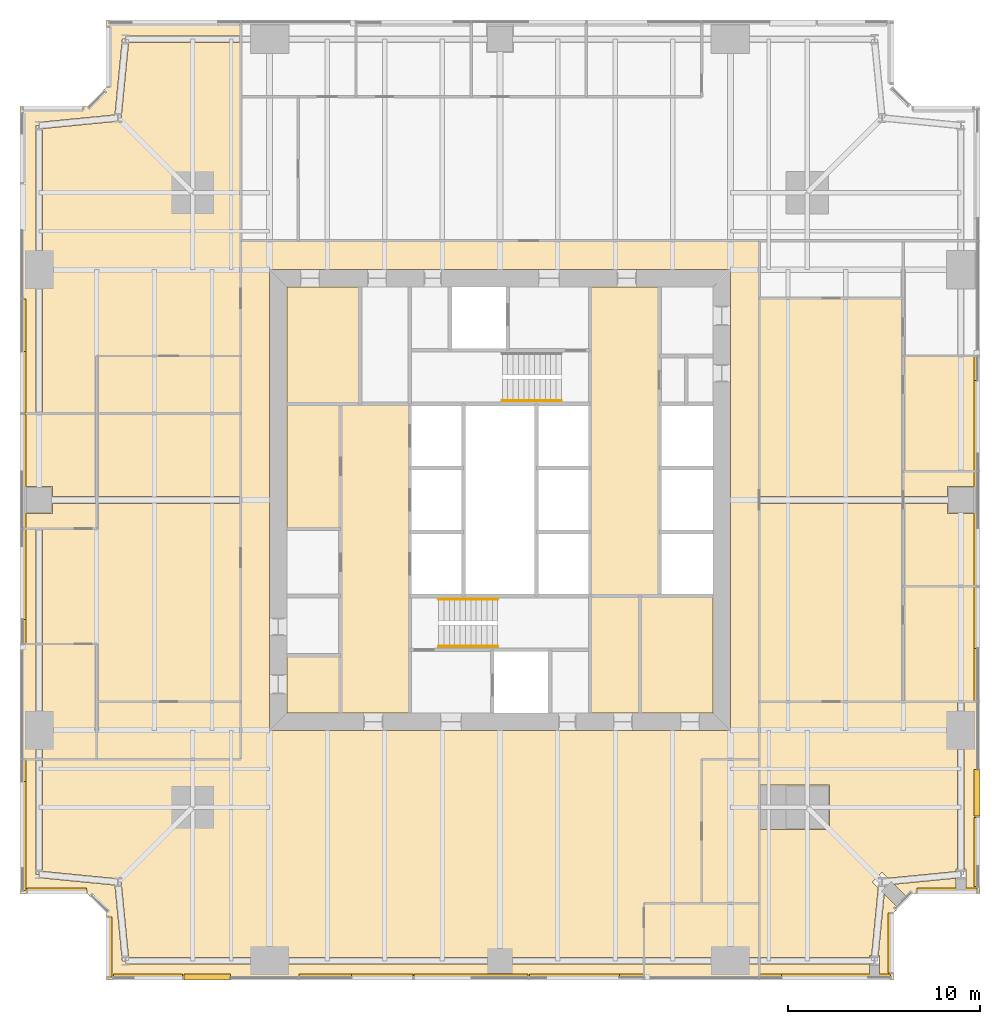
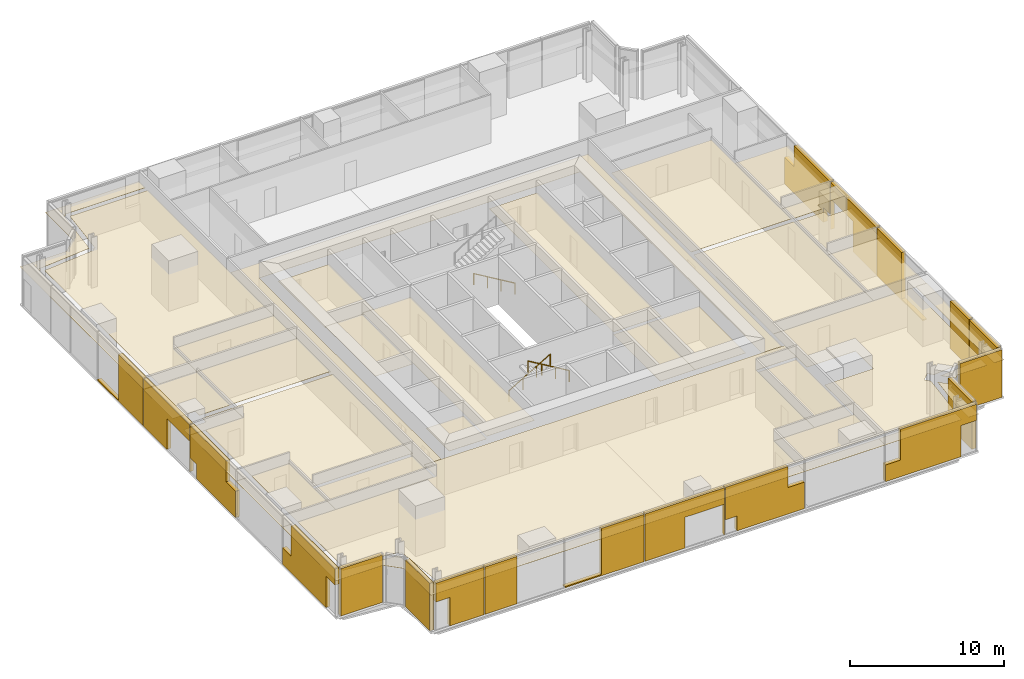
# One storey, part 12 of 13: 54 coverings, 3 railings.
"""IFC4 building model written with IfcOpenShell, lengths in metres."""

from ifc_helpers import new_model, si_unit, direction, frame, origin, origin_2d, place, context, subcontext, project, spatial, polyline, circle, outline, extrude, material, layer, layer_set, type_object, element, save


model = new_model("IFC4")

# Units and contexts
model_context = context("Model", 3, precision=1e-05, world=origin(), true_north=direction((0.0, 1.0)))
body_context = subcontext(model_context, "Body", "Model", "MODEL_VIEW")
ifc_project = project(units=[si_unit("LENGTHUNIT", "METRE"), si_unit("AREAUNIT", "SQUARE_METRE"), si_unit("VOLUMEUNIT", "CUBIC_METRE"), si_unit("PLANEANGLEUNIT", "RADIAN"), si_unit("MASSUNIT", "GRAM", prefix="KILO")], contexts=[model_context])

# Site, building, storey
site_placement = place(None, origin())
site = spatial("IfcSite", under=ifc_project, at=site_placement, CompositionType="ELEMENT")
building_placement = place(site_placement, origin())
building = spatial("IfcBuilding", under=site, at=building_placement, Name="Fenwick Lantern Interchange", CompositionType="ELEMENT")
storey_placement = place(building_placement, frame((0.0, 0.0, 138.39990234375)))
storey = spatial("IfcBuildingStorey", under=building, at=storey_placement, Name="L32", CompositionType="ELEMENT", Elevation=138.39990234375)

# Coverings
ifc_material_1 = material(Name="Mineral fibre acoustic tile on suspended grid")
ifc_layer_1 = layer(ifc_material_1, 0.02001953125)
ifc_layer_set_1 = layer_set([ifc_layer_1], Name="ACOUSTIC TILE CEILING 20")
covering_type_1 = type_object("IfcCoveringType", Name="ACOUSTIC TILE CEILING 20", PredefinedType="CEILING", material=ifc_layer_set_1)
covering_1_placement = place(storey_placement, frame((0.0, 0.0, 2.900146484375)))
element("IfcCovering", 1, at=covering_1_placement, inside=storey, type_object=covering_type_1, Name="Open office ceiling", PredefinedType="CEILING", context=body_context, shape_type="SweptSolid", body=[
    extrude(outline(polyline([(11.5, 11.5), (1.17236328125, 11.5), (1.17236328125, 5.656494140625), (5.11669921875, 5.271484375), (5.10009765625, 5.10009765625), (5.271484375, 5.11669921875), (5.656494140625, 1.17236328125), (13.0, 1.17236328125), (25.0, 1.17236328125), (32.5, 1.17236328125), (32.5, 4.0), (35.5, 4.0), (35.5, 11.5), (38.5, 11.5), (38.5, 13.0), (11.5, 13.0), (11.5, 11.5)])), origin(), (0.0, 0.0, 1.0), 0.02001953125),
])
covering_2_placement = place(storey_placement, frame((0.0, 0.0, 2.900146484375)))
element("IfcCovering", 2, at=covering_2_placement, inside=storey, type_object=covering_type_1, Name="Open office ceiling", PredefinedType="CEILING", context=body_context, shape_type="SweptSolid", body=[
    extrude(outline(polyline([(4.5, 3.5), (4.5, 0.0), (32.5, 0.0), (32.5, 0.82763671875), (25.0, 0.82763671875), (13.0, 0.82763671875), (5.5, 0.82763671875), (5.5, 1.0), (5.328369140625, 0.983154296875), (4.942138671875, 4.942138671875), (0.983154296875, 5.328369140625), (1.0, 5.5), (0.82763671875, 5.5), (0.82763671875, 11.5), (0.0, 11.5), (0.0, 4.5), (3.5, 4.5), (4.5, 3.5)])), origin(), (0.0, 0.0, 1.0), 0.02001953125),
])
covering_3_placement = place(storey_placement, frame((0.0, 0.0, 2.900146484375)))
element("IfcCovering", 3, at=covering_3_placement, inside=storey, type_object=covering_type_1, Name="Meeting room ceiling", PredefinedType="CEILING", context=body_context, shape_type="SweptSolid", body=[
    extrude(outline(polyline([(32.5, 4.0), (32.5, 1.17236328125), (37.0, 1.17236328125), (38.5, 1.17236328125), (38.5, 4.0), (32.5, 4.0)])), origin(), (0.0, 0.0, 1.0), 0.02001953125),
])
covering_4_placement = place(storey_placement, frame((0.0, 0.0, 2.900146484375)))
element("IfcCovering", 4, at=covering_4_placement, inside=storey, type_object=covering_type_1, Name="Meeting room ceiling", PredefinedType="CEILING", context=body_context, shape_type="SweptSolid", body=[
    extrude(outline(polyline([(38.5, 0.0), (38.5, 0.82763671875), (37.0, 0.82763671875), (32.5, 0.82763671875), (32.5, 0.0), (38.5, 0.0)])), origin(), (0.0, 0.0, 1.0), 0.02001953125),
])
covering_5_placement = place(storey_placement, frame((0.0, 0.0, 2.900146484375)))
element("IfcCovering", 5, at=covering_5_placement, inside=storey, type_object=covering_type_1, Name="Office suite ceiling", PredefinedType="CEILING", context=body_context, shape_type="SweptSolid", body=[
    extrude(outline(polyline([(38.5, 24.824951171875), (38.5, 14.5), (46.0, 14.5), (46.0, 24.824951171875), (38.5, 24.824951171875)])), origin(), (0.0, 0.0, 1.0), 0.02001953125),
])
covering_6_placement = place(storey_placement, frame((0.0, 0.0, 2.900146484375)))
element("IfcCovering", 6, at=covering_6_placement, inside=storey, type_object=covering_type_1, Name="Office suite ceiling", PredefinedType="CEILING", context=body_context, shape_type="SweptSolid", body=[
    extrude(outline(polyline([(38.5, 35.5), (38.5, 25.175048828125), (46.0, 25.175048828125), (46.0, 35.5), (38.5, 35.5)])), origin(), (0.0, 0.0, 1.0), 0.02001953125),
])
covering_7_placement = place(storey_placement, frame((0.0, 0.0, 2.900146484375)))
element("IfcCovering", 7, at=covering_7_placement, inside=storey, type_object=covering_type_1, Name="Office ceiling", PredefinedType="CEILING", context=body_context, shape_type="SweptSolid", body=[
    extrude(outline(polyline([(44.23779296875, 1.28759765625), (44.354736328125, 1.28759765625), (44.696044921875, 4.78369140625), (44.379638671875, 5.10009765625), (44.89990234375, 5.620361328125), (45.21630859375, 5.303955078125), (48.73779296875, 5.647705078125), (48.73779296875, 5.78759765625), (48.82763671875, 5.78759765625), (48.82763671875, 13.0), (48.82763671875, 14.5), (38.5, 14.5), (38.5, 10.14990234375), (42.14990234375, 10.14990234375), (42.14990234375, 7.85009765625), (38.5, 7.85009765625), (38.5, 1.17236328125), (44.23779296875, 1.17236328125), (44.23779296875, 1.28759765625)])), origin(), (0.0, 0.0, 1.0), 0.02001953125),
])
covering_8_placement = place(storey_placement, frame((0.0, 0.0, 2.900146484375)))
element("IfcCovering", 8, at=covering_8_placement, inside=storey, type_object=covering_type_1, Name="Office ceiling", PredefinedType="CEILING", context=body_context, shape_type="SweptSolid", body=[
    extrude(outline(polyline([(50.0, 14.5), (49.17236328125, 14.5), (49.17236328125, 13.0), (49.17236328125, 5.78759765625), (49.26220703125, 5.78759765625), (49.26220703125, 4.5), (50.0, 4.5), (50.0, 14.5)])), origin(), (0.0, 0.0, 1.0), 0.02001953125),
])
covering_9_placement = place(storey_placement, frame((0.0, 0.0, 2.900146484375)))
element("IfcCovering", 9, at=covering_9_placement, inside=storey, type_object=covering_type_1, Name="Office ceiling", PredefinedType="CEILING", context=body_context, shape_type="SweptSolid", body=[
    extrude(outline(polyline([(44.23779296875, 0.0), (44.23779296875, 0.82763671875), (38.5, 0.82763671875), (38.5, 0.0), (44.23779296875, 0.0)])), origin(), (0.0, 0.0, 1.0), 0.02001953125),
])
covering_10_placement = place(storey_placement, frame((0.0, 0.0, 2.900146484375)))
element("IfcCovering", 10, at=covering_10_placement, inside=storey, type_object=covering_type_1, Name="Office ceiling", PredefinedType="CEILING", context=body_context, shape_type="SweptSolid", body=[
    extrude(outline(polyline([(44.76220703125, 1.28759765625), (44.76220703125, 0.0), (45.5, 0.0), (45.5, 3.5), (45.73974609375, 3.73974609375), (45.011474609375, 4.468017578125), (44.701171875, 1.28759765625), (44.76220703125, 1.28759765625)])), origin(), (0.0, 0.0, 1.0), 0.02001953125),
])
covering_11_placement = place(storey_placement, frame((0.0, 0.0, 2.900146484375)))
element("IfcCovering", 11, at=covering_11_placement, inside=storey, type_object=covering_type_1, Name="Office ceiling", PredefinedType="CEILING", context=body_context, shape_type="SweptSolid", body=[
    extrude(outline(polyline([(48.73779296875, 4.5), (48.73779296875, 5.30126953125), (45.531982421875, 4.988525390625), (46.26025390625, 4.26025390625), (46.5, 4.5), (48.73779296875, 4.5)])), origin(), (0.0, 0.0, 1.0), 0.02001953125),
])
covering_12_placement = place(storey_placement, frame((0.0, 0.0, 2.8681640625)))
element("IfcCovering", 12, at=covering_12_placement, inside=storey, type_object=covering_type_1, Name="Office ceiling", PredefinedType="CEILING", context=body_context, shape_type="SweptSolid", body=[
    extrude(outline(polyline([(50.0, 14.5), (50.0, 20.5), (46.0, 20.5), (46.0, 14.5), (50.0, 14.5)])), origin(), (0.0, 0.0, 1.0), 0.02001953125),
])
covering_13_placement = place(storey_placement, frame((0.0, 0.0, 2.8681640625)))
element("IfcCovering", 13, at=covering_13_placement, inside=storey, type_object=covering_type_1, Name="Office ceiling", PredefinedType="CEILING", context=body_context, shape_type="SweptSolid", body=[
    extrude(outline(polyline([(46.0, 20.5), (50.0, 20.5), (50.0, 24.300048828125), (48.300048828125, 24.300048828125), (48.300048828125, 24.824951171875), (46.0, 24.824951171875), (46.0, 20.5)])), origin(), (0.0, 0.0, 1.0), 0.02001953125),
])
covering_14_placement = place(storey_placement, frame((0.0, 0.0, 2.8681640625)))
element("IfcCovering", 14, at=covering_14_placement, inside=storey, type_object=covering_type_1, Name="Office ceiling", PredefinedType="CEILING", context=body_context, shape_type="SweptSolid", body=[
    extrude(outline(polyline([(46.0, 26.5), (46.0, 25.175048828125), (48.300048828125, 25.175048828125), (48.300048828125, 25.699951171875), (50.0, 25.699951171875), (50.0, 26.5), (46.0, 26.5)])), origin(), (0.0, 0.0, 1.0), 0.02001953125),
])
covering_15_placement = place(storey_placement, frame((0.0, 0.0, 2.8681640625)))
element("IfcCovering", 15, at=covering_15_placement, inside=storey, type_object=covering_type_1, Name="Office ceiling", PredefinedType="CEILING", context=body_context, shape_type="SweptSolid", body=[
    extrude(outline(polyline([(50.0, 26.5), (50.0, 32.5), (46.0, 32.5), (46.0, 26.5), (50.0, 26.5)])), origin(), (0.0, 0.0, 1.0), 0.02001953125),
])
covering_16_placement = place(storey_placement, frame((0.0, 0.0, 2.900146484375)))
element("IfcCovering", 16, at=covering_16_placement, inside=storey, type_object=covering_type_1, Name="Office suite ceiling", PredefinedType="CEILING", context=body_context, shape_type="SweptSolid", body=[
    extrude(outline(polyline([(1.17236328125, 29.5), (4.0, 29.5), (4.0, 32.5), (11.5, 32.5), (11.5, 48.82763671875), (5.656494140625, 48.82763671875), (5.271484375, 44.88330078125), (5.10009765625, 44.89990234375), (5.11669921875, 44.728515625), (1.17236328125, 44.343505859375), (1.17236328125, 37.0), (1.17236328125, 29.5)])), origin(), (0.0, 0.0, 1.0), 0.02001953125),
])
covering_17_placement = place(storey_placement, frame((0.0, 0.0, 2.900146484375)))
element("IfcCovering", 17, at=covering_17_placement, inside=storey, type_object=covering_type_1, Name="Office suite ceiling", PredefinedType="CEILING", context=body_context, shape_type="SweptSolid", body=[
    extrude(outline(polyline([(0.0, 29.5), (0.82763671875, 29.5), (0.82763671875, 37.0), (0.82763671875, 44.5), (1.0, 44.5), (0.983154296875, 44.671630859375), (4.942138671875, 45.057861328125), (5.328369140625, 49.016845703125), (5.5, 49.0), (5.5, 49.17236328125), (11.5, 49.17236328125), (11.5, 50.0), (4.5, 50.0), (4.5, 46.5), (3.5, 45.5), (0.0, 45.5), (0.0, 29.5)])), origin(), (0.0, 0.0, 1.0), 0.02001953125),
])
covering_18_placement = place(storey_placement, frame((0.0, 0.0, 2.900146484375)))
element("IfcCovering", 18, at=covering_18_placement, inside=storey, type_object=covering_type_1, Name="Meeting room ceiling", PredefinedType="CEILING", context=body_context, shape_type="SweptSolid", body=[
    extrude(outline(polyline([(4.0, 32.5), (4.0, 29.5), (11.5, 29.5), (11.5, 32.5), (4.0, 32.5)])), origin(), (0.0, 0.0, 1.0), 0.02001953125),
])
covering_19_placement = place(storey_placement, frame((0.0, 0.0, 2.900146484375)))
element("IfcCovering", 19, at=covering_19_placement, inside=storey, type_object=covering_type_1, Name="Office suite ceiling", PredefinedType="CEILING", context=body_context, shape_type="SweptSolid", body=[
    extrude(outline(polyline([(4.0, 23.5), (1.17236328125, 23.5), (1.17236328125, 17.5), (4.0, 17.5), (4.0, 14.5), (11.5, 14.5), (11.5, 24.824951171875), (4.0, 24.824951171875), (4.0, 23.5)])), origin(), (0.0, 0.0, 1.0), 0.02001953125),
])
covering_20_placement = place(storey_placement, frame((0.0, 0.0, 2.900146484375)))
element("IfcCovering", 20, at=covering_20_placement, inside=storey, type_object=covering_type_1, Name="Office suite ceiling", PredefinedType="CEILING", context=body_context, shape_type="SweptSolid", body=[
    extrude(outline(polyline([(4.0, 29.5), (4.0, 25.175048828125), (11.5, 25.175048828125), (11.5, 29.5), (4.0, 29.5)])), origin(), (0.0, 0.0, 1.0), 0.02001953125),
])
covering_21_placement = place(storey_placement, frame((0.0, 0.0, 2.900146484375)))
element("IfcCovering", 21, at=covering_21_placement, inside=storey, type_object=covering_type_1, Name="Office suite ceiling", PredefinedType="CEILING", context=body_context, shape_type="SweptSolid", body=[
    extrude(outline(polyline([(0.0, 23.5), (0.0, 17.5), (0.82763671875, 17.5), (0.82763671875, 23.5), (0.0, 23.5)])), origin(), (0.0, 0.0, 1.0), 0.02001953125),
])
covering_22_placement = place(storey_placement, frame((0.0, 0.0, 2.8681640625)))
element("IfcCovering", 22, at=covering_22_placement, inside=storey, type_object=covering_type_1, Name="Office ceiling", PredefinedType="CEILING", context=body_context, shape_type="SweptSolid", body=[
    extrude(outline(polyline([(4.0, 29.5), (0.0, 29.5), (0.0, 25.699951171875), (1.699951171875, 25.699951171875), (1.699951171875, 25.175048828125), (4.0, 25.175048828125), (4.0, 29.5)])), origin(), (0.0, 0.0, 1.0), 0.02001953125),
])
covering_23_placement = place(storey_placement, frame((0.0, 0.0, 2.8681640625)))
element("IfcCovering", 23, at=covering_23_placement, inside=storey, type_object=covering_type_1, Name="Office ceiling", PredefinedType="CEILING", context=body_context, shape_type="SweptSolid", body=[
    extrude(outline(polyline([(4.0, 23.5), (4.0, 24.824951171875), (1.699951171875, 24.824951171875), (1.699951171875, 24.300048828125), (0.0, 24.300048828125), (0.0, 23.5), (4.0, 23.5)])), origin(), (0.0, 0.0, 1.0), 0.02001953125),
])
covering_24_placement = place(storey_placement, frame((0.0, 0.0, 2.900146484375)))
element("IfcCovering", 24, at=covering_24_placement, inside=storey, type_object=covering_type_1, Name="Office ceiling", PredefinedType="CEILING", context=body_context, shape_type="SweptSolid", body=[
    extrude(outline(polyline([(4.0, 17.5), (1.17236328125, 17.5), (1.17236328125, 13.0), (1.17236328125, 11.5), (4.0, 11.5), (4.0, 17.5)])), origin(), (0.0, 0.0, 1.0), 0.02001953125),
])
covering_25_placement = place(storey_placement, frame((0.0, 0.0, 2.900146484375)))
element("IfcCovering", 25, at=covering_25_placement, inside=storey, type_object=covering_type_1, Name="Office ceiling", PredefinedType="CEILING", context=body_context, shape_type="SweptSolid", body=[
    extrude(outline(polyline([(0.0, 11.5), (0.82763671875, 11.5), (0.82763671875, 13.0), (0.82763671875, 17.5), (0.0, 17.5), (0.0, 11.5)])), origin(), (0.0, 0.0, 1.0), 0.02001953125),
])
ifc_material_2 = material(Name="Granite cladding, warm grey flamed finish, on aluminium carrier frame", Category="masonry")
ifc_layer_2 = layer(ifc_material_2, 0.300048828125)
ifc_layer_set_2 = layer_set([ifc_layer_2], Name="BRACE CASING PANEL 300")
covering_type_2 = type_object("IfcCoveringType", Name="BRACE CASING PANEL 300", PredefinedType="CLADDING", material=ifc_layer_set_2)
covering_26_placement = place(storey_placement, frame((4.60009765625, 0.10009765625, 0.0), z_axis=(0.0, 0.0, 1.0), x_axis=(1.0, 0.0, 0.0)))
element("IfcCovering", 26, at=covering_26_placement, inside=storey, type_object=covering_type_2, Name="Brace casing 01 bay 00a", PredefinedType="CLADDING", context=body_context, shape_type="SweptSolid", body=[
    extrude(outline(polyline([(1.320068359375, 0.0), (3.867431640625, 0.0), (3.867431640625, 3.75), (0.264892578125, 3.75), (0.264892578125, 2.257080078125), (1.320068359375, 2.257080078125), (1.320068359375, 0.0)])), frame((0.0, 0.2001953125, 0.0), z_axis=(0.0, -1.0, 0.0), x_axis=(1.0, 0.0, 0.0)), (0.0, 0.0, 1.0), 0.300048828125),
])
covering_27_placement = place(storey_placement, frame((4.60009765625, 0.10009765625, 0.0), z_axis=(0.0, 0.0, 1.0), x_axis=(1.0, 0.0, 0.0)))
element("IfcCovering", 27, at=covering_27_placement, inside=storey, type_object=covering_type_2, Name="Brace casing 01 bay 01a", PredefinedType="CLADDING", context=body_context, shape_type="SweptSolid", body=[
    extrude(outline(polyline([(3.9326171875, 0.0), (6.35595703125, 0.0), (6.35595703125, 3.75), (3.9326171875, 3.75), (3.9326171875, 0.0)])), frame((0.0, 0.2001953125, 0.0), z_axis=(0.0, -1.0, 0.0), x_axis=(1.0, 0.0, 0.0)), (0.0, 0.0, 1.0), 0.300048828125),
])
covering_28_placement = place(storey_placement, frame((4.60009765625, 0.10009765625, 0.0), z_axis=(0.0, 0.0, 1.0), x_axis=(1.0, 0.0, 0.0)))
element("IfcCovering", 28, at=covering_28_placement, inside=storey, type_object=covering_type_2, Name="Brace casing 01 bay 02a", PredefinedType="CLADDING", context=body_context, shape_type="SweptSolid", body=[
    extrude(outline(polyline([(9.9326171875, 0.0), (15.867431640625, 0.0), (15.867431640625, 3.75), (12.672607421875, 3.75), (12.672607421875, 0.0908203125), (9.9326171875, 0.0908203125), (9.9326171875, 0.0)])), frame((0.0, 0.2001953125, 0.0), z_axis=(0.0, -1.0, 0.0), x_axis=(1.0, 0.0, 0.0)), (0.0, 0.0, 1.0), 0.300048828125),
])
covering_29_placement = place(storey_placement, frame((4.60009765625, 0.10009765625, 0.0), z_axis=(0.0, 0.0, 1.0), x_axis=(1.0, 0.0, 0.0)))
element("IfcCovering", 29, at=covering_29_placement, inside=storey, type_object=covering_type_2, Name="Brace casing 01 bay 03a", PredefinedType="CLADDING", context=body_context, shape_type="SweptSolid", body=[
    extrude(outline(polyline([(15.9326171875, 0.0), (18.9345703125, 0.0), (18.9345703125, 2.440185546875), (21.864501953125, 2.440185546875), (21.864501953125, 0.0), (21.867431640625, 0.0), (21.867431640625, 3.75), (15.9326171875, 3.75), (15.9326171875, 0.0)])), frame((0.0, 0.2001953125, 0.0), z_axis=(0.0, -1.0, 0.0), x_axis=(1.0, 0.0, 0.0)), (0.0, 0.0, 1.0), 0.300048828125),
])
covering_30_placement = place(storey_placement, frame((4.60009765625, 0.10009765625, 0.0), z_axis=(0.0, 0.0, 1.0), x_axis=(1.0, 0.0, 0.0)))
element("IfcCovering", 30, at=covering_30_placement, inside=storey, type_object=covering_type_2, Name="Brace casing 01 bay 04a", PredefinedType="CLADDING", context=body_context, shape_type="SweptSolid", body=[
    extrude(outline(polyline([(22.8125, 0.0), (27.867431640625, 0.0), (27.867431640625, 2.0966796875), (26.623046875, 2.0966796875), (26.623046875, 3.75), (21.9326171875, 3.75), (21.9326171875, 1.177490234375), (22.8125, 1.177490234375), (22.8125, 0.0)])), frame((0.0, 0.2001953125, 0.0), z_axis=(0.0, -1.0, 0.0), x_axis=(1.0, 0.0, 0.0)), (0.0, 0.0, 1.0), 0.300048828125),
])
covering_31_placement = place(storey_placement, frame((4.60009765625, 0.10009765625, 0.0), z_axis=(0.0, 0.0, 1.0), x_axis=(1.0, 0.0, 0.0)))
element("IfcCovering", 31, at=covering_31_placement, inside=storey, type_object=covering_type_2, Name="Brace casing 01 bay 06a", PredefinedType="CLADDING", context=body_context, shape_type="SweptSolid", body=[
    extrude(outline(polyline([(33.9326171875, 0.0), (39.576904296875, 0.0), (39.576904296875, 2.464111328125), (40.735107421875, 2.464111328125), (40.735107421875, 3.75), (35.067626953125, 3.75), (35.067626953125, 1.32568359375), (33.9326171875, 1.32568359375), (33.9326171875, 0.0)])), frame((0.0, 0.2001953125, 0.0), z_axis=(0.0, -1.0, 0.0), x_axis=(1.0, 0.0, 0.0)), (0.0, 0.0, 1.0), 0.300048828125),
])
for number, where, z_axis, x_axis, name in (
    (32, (45.39990234375, 0.10009765625, 0.0), (0.0, 0.0, 1.0), (0.0, 1.0, 0.0), "Brace casing 02 bay 00a"),
    (33, (46.45849609375, 4.60009765625, 0.0), (0.0, 0.0, 1.0), (1.0, 0.0, 0.0), "Brace casing 04 bay 00a"),
):
    element("IfcCovering", number, at=place(storey_placement, frame(where, z_axis=z_axis, x_axis=x_axis)), inside=storey, type_object=covering_type_2, Name=name, PredefinedType="CLADDING", context=body_context, shape_type="SweptSolid", body=[
        extrude(outline(polyline([(0.264892578125, 0.0), (3.37646484375, 0.0), (3.37646484375, 3.75), (0.264892578125, 3.75), (0.264892578125, 0.0)])), frame((0.0, 0.2001953125, 0.0), z_axis=(0.0, -1.0, 0.0), x_axis=(1.0, 0.0, 0.0)), (0.0, 0.0, 1.0), 0.300048828125),
    ])
covering_32_placement = place(storey_placement, frame((49.89990234375, 4.60009765625, 0.0), z_axis=(0.0, 0.0, 1.0), x_axis=(0.0, 1.0, 0.0)))
element("IfcCovering", 34, at=covering_32_placement, inside=storey, type_object=covering_type_2, Name="Brace casing 05 bay 00a", PredefinedType="CLADDING", context=body_context, shape_type="SweptSolid", body=[
    extrude(outline(polyline([(1.320068359375, 0.0), (3.867431640625, 0.0), (3.867431640625, 3.75), (0.264892578125, 3.75), (0.264892578125, 2.257080078125), (1.320068359375, 2.257080078125), (1.320068359375, 0.0)])), frame((0.0, 0.2001953125, 0.0), z_axis=(0.0, -1.0, 0.0), x_axis=(1.0, 0.0, 0.0)), (0.0, 0.0, 1.0), 0.300048828125),
])
covering_33_placement = place(storey_placement, frame((49.89990234375, 4.60009765625, 0.0), z_axis=(0.0, 0.0, 1.0), x_axis=(0.0, 1.0, 0.0)))
element("IfcCovering", 35, at=covering_33_placement, inside=storey, type_object=covering_type_2, Name="Brace casing 05 bay 01a", PredefinedType="CLADDING", context=body_context, shape_type="SweptSolid", body=[
    extrude(outline(polyline([(3.9326171875, 0.0), (6.35595703125, 0.0), (6.35595703125, 3.75), (3.9326171875, 3.75), (3.9326171875, 0.0)])), frame((0.0, 0.2001953125, 0.0), z_axis=(0.0, -1.0, 0.0), x_axis=(1.0, 0.0, 0.0)), (0.0, 0.0, 1.0), 0.300048828125),
])
covering_34_placement = place(storey_placement, frame((49.89990234375, 4.60009765625, 0.0), z_axis=(0.0, 0.0, 1.0), x_axis=(0.0, 1.0, 0.0)))
element("IfcCovering", 36, at=covering_34_placement, inside=storey, type_object=covering_type_2, Name="Brace casing 05 bay 02a", PredefinedType="CLADDING", context=body_context, shape_type="SweptSolid", body=[
    extrude(outline(polyline([(9.9326171875, 0.0), (15.867431640625, 0.0), (15.867431640625, 3.75), (12.672607421875, 3.75), (12.672607421875, 0.0908203125), (9.9326171875, 0.0908203125), (9.9326171875, 0.0)])), frame((0.0, 0.2001953125, 0.0), z_axis=(0.0, -1.0, 0.0), x_axis=(1.0, 0.0, 0.0)), (0.0, 0.0, 1.0), 0.300048828125),
])
covering_35_placement = place(storey_placement, frame((49.89990234375, 4.60009765625, 0.0), z_axis=(0.0, 0.0, 1.0), x_axis=(0.0, 1.0, 0.0)))
element("IfcCovering", 37, at=covering_35_placement, inside=storey, type_object=covering_type_2, Name="Brace casing 05 bay 03a", PredefinedType="CLADDING", context=body_context, shape_type="SweptSolid", body=[
    extrude(outline(polyline([(15.9326171875, 0.0), (18.9345703125, 0.0), (18.9345703125, 2.440185546875), (21.864501953125, 2.440185546875), (21.864501953125, 0.0), (21.867431640625, 0.0), (21.867431640625, 3.75), (15.9326171875, 3.75), (15.9326171875, 0.0)])), frame((0.0, 0.2001953125, 0.0), z_axis=(0.0, -1.0, 0.0), x_axis=(1.0, 0.0, 0.0)), (0.0, 0.0, 1.0), 0.300048828125),
])
covering_36_placement = place(storey_placement, frame((49.89990234375, 4.60009765625, 0.0), z_axis=(0.0, 0.0, 1.0), x_axis=(0.0, 1.0, 0.0)))
element("IfcCovering", 38, at=covering_36_placement, inside=storey, type_object=covering_type_2, Name="Brace casing 05 bay 04a", PredefinedType="CLADDING", context=body_context, shape_type="SweptSolid", body=[
    extrude(outline(polyline([(22.8125, 0.0), (27.867431640625, 0.0), (27.867431640625, 2.0966796875), (26.623046875, 2.0966796875), (26.623046875, 3.75), (21.9326171875, 3.75), (21.9326171875, 1.177490234375), (22.8125, 1.177490234375), (22.8125, 0.0)])), frame((0.0, 0.2001953125, 0.0), z_axis=(0.0, -1.0, 0.0), x_axis=(1.0, 0.0, 0.0)), (0.0, 0.0, 1.0), 0.300048828125),
])
covering_37_placement = place(storey_placement, frame((0.10009765625, 45.39990234375, 0.0), z_axis=(0.0, 0.0, 1.0), x_axis=(0.0, -1.0, 0.0)))
element("IfcCovering", 39, at=covering_37_placement, inside=storey, type_object=covering_type_2, Name="Brace casing 13 bay 02a", PredefinedType="CLADDING", context=body_context, shape_type="SweptSolid", body=[
    extrude(outline(polyline([(9.9326171875, 0.0), (15.867431640625, 0.0), (15.867431640625, 3.75), (12.672607421875, 3.75), (12.672607421875, 0.0908203125), (9.9326171875, 0.0908203125), (9.9326171875, 0.0)])), frame((0.0, 0.2001953125, 0.0), z_axis=(0.0, -1.0, 0.0), x_axis=(1.0, 0.0, 0.0)), (0.0, 0.0, 1.0), 0.300048828125),
])
covering_38_placement = place(storey_placement, frame((0.10009765625, 45.39990234375, 0.0), z_axis=(0.0, 0.0, 1.0), x_axis=(0.0, -1.0, 0.0)))
element("IfcCovering", 40, at=covering_38_placement, inside=storey, type_object=covering_type_2, Name="Brace casing 13 bay 03a", PredefinedType="CLADDING", context=body_context, shape_type="SweptSolid", body=[
    extrude(outline(polyline([(15.9326171875, 0.0), (18.9345703125, 0.0), (18.9345703125, 2.440185546875), (21.864501953125, 2.440185546875), (21.864501953125, 0.0), (21.867431640625, 0.0), (21.867431640625, 3.75), (15.9326171875, 3.75), (15.9326171875, 0.0)])), frame((0.0, 0.2001953125, 0.0), z_axis=(0.0, -1.0, 0.0), x_axis=(1.0, 0.0, 0.0)), (0.0, 0.0, 1.0), 0.300048828125),
])
covering_39_placement = place(storey_placement, frame((0.10009765625, 45.39990234375, 0.0), z_axis=(0.0, 0.0, 1.0), x_axis=(0.0, -1.0, 0.0)))
element("IfcCovering", 41, at=covering_39_placement, inside=storey, type_object=covering_type_2, Name="Brace casing 13 bay 04a", PredefinedType="CLADDING", context=body_context, shape_type="SweptSolid", body=[
    extrude(outline(polyline([(22.8125, 0.0), (27.867431640625, 0.0), (27.867431640625, 2.0966796875), (26.623046875, 2.0966796875), (26.623046875, 3.75), (21.9326171875, 3.75), (21.9326171875, 1.177490234375), (22.8125, 1.177490234375), (22.8125, 0.0)])), frame((0.0, 0.2001953125, 0.0), z_axis=(0.0, -1.0, 0.0), x_axis=(1.0, 0.0, 0.0)), (0.0, 0.0, 1.0), 0.300048828125),
])
covering_40_placement = place(storey_placement, frame((0.10009765625, 45.39990234375, 0.0), z_axis=(0.0, 0.0, 1.0), x_axis=(0.0, -1.0, 0.0)))
element("IfcCovering", 42, at=covering_40_placement, inside=storey, type_object=covering_type_2, Name="Brace casing 13 bay 06a", PredefinedType="CLADDING", context=body_context, shape_type="SweptSolid", body=[
    extrude(outline(polyline([(33.9326171875, 0.0), (39.576904296875, 0.0), (39.576904296875, 2.464111328125), (40.735107421875, 2.464111328125), (40.735107421875, 3.75), (35.067626953125, 3.75), (35.067626953125, 1.32568359375), (33.9326171875, 1.32568359375), (33.9326171875, 0.0)])), frame((0.0, 0.2001953125, 0.0), z_axis=(0.0, -1.0, 0.0), x_axis=(1.0, 0.0, 0.0)), (0.0, 0.0, 1.0), 0.300048828125),
])
for number, where, z_axis, x_axis, name in (
    (43, (0.10009765625, 4.60009765625, 0.0), (0.0, 0.0, 1.0), (1.0, 0.0, 0.0), "Brace casing 14 bay 00a"),
    (44, (4.60009765625, 3.54150390625, 0.0), (0.0, 0.0, 1.0), (0.0, -1.0, 0.0), "Brace casing 16 bay 00a"),
):
    element("IfcCovering", number, at=place(storey_placement, frame(where, z_axis=z_axis, x_axis=x_axis)), inside=storey, type_object=covering_type_2, Name=name, PredefinedType="CLADDING", context=body_context, shape_type="SweptSolid", body=[
        extrude(outline(polyline([(0.264892578125, 0.0), (3.37646484375, 0.0), (3.37646484375, 3.75), (0.264892578125, 3.75), (0.264892578125, 0.0)])), frame((0.0, 0.2001953125, 0.0), z_axis=(0.0, -1.0, 0.0), x_axis=(1.0, 0.0, 0.0)), (0.0, 0.0, 1.0), 0.300048828125),
    ])

# Railings
ifc_material_3 = material(Name="Stainless steel handrail", Category="steel")
railing_type = type_object("IfcRailingType", Name="HANDRAIL 900", PredefinedType="HANDRAIL", material=ifc_material_3)
railing_placement = place(storey_placement, frame((21.800048828125, 19.825927734375, 0.166748046875)))
element("IfcRailing", 45, at=railing_placement, inside=storey, type_object=railing_type, Name="L32/STAIR/ST1/HR1", PredefinedType="HANDRAIL", context=body_context, shape_type="SweptSolid", body=[
    extrude(circle(Radius=0.02392578125, at=origin_2d()), frame((0.0, 0.0, 0.8759765625), z_axis=(0.859290745958, 0.0, 0.51148745235), x_axis=(0.0, 1.0, 0.0)), (0.0, 0.0, 1.0), 3.584228515625),
    extrude(circle(Radius=0.02099609375, at=origin_2d()), origin(), (0.0, 0.0, 1.0), 0.851806640625),
    extrude(circle(Radius=0.02099609375, at=origin_2d()), frame((1.026611328125, 0.0, 0.611083984375)), (0.0, 0.0, 1.0), 0.851806640625),
    extrude(circle(Radius=0.02099609375, at=origin_2d()), frame((2.05322265625, 0.0, 1.22216796875)), (0.0, 0.0, 1.0), 0.851806640625),
    extrude(circle(Radius=0.02099609375, at=origin_2d()), frame((3.079833984375, 0.0, 1.833251953125)), (0.0, 0.0, 1.0), 0.851806640625),
])
for number, where, name in (
    (46, (24.8798828125, 17.3740234375, 2.166748046875), "L32/STAIR/ST1/HR2"),
    (47, (28.199951171875, 30.174072265625, 0.166748046875), "L32/STAIR/ST2/HR1"),
):
    element("IfcRailing", number, at=place(storey_placement, frame(where)), inside=storey, type_object=railing_type, Name=name, PredefinedType="HANDRAIL", context=body_context, shape_type="SweptSolid", body=[
        extrude(circle(Radius=0.02392578125, at=origin_2d()), frame((0.0, 0.0, 0.8759765625), z_axis=(-0.859290745958, 0.0, 0.51148745235), x_axis=(0.0, -1.0, 0.0)), (0.0, 0.0, 1.0), 3.584228515625),
        extrude(circle(Radius=0.02099609375, at=origin_2d()), origin(), (0.0, 0.0, 1.0), 0.851806640625),
        extrude(circle(Radius=0.02099609375, at=origin_2d()), frame((-1.026611328125, 0.0, 0.611083984375)), (0.0, 0.0, 1.0), 0.851806640625),
        extrude(circle(Radius=0.02099609375, at=origin_2d()), frame((-2.05322265625, 0.0, 1.22216796875)), (0.0, 0.0, 1.0), 0.851806640625),
        extrude(circle(Radius=0.02099609375, at=origin_2d()), frame((-3.079833984375, 0.0, 1.833251953125)), (0.0, 0.0, 1.0), 0.851806640625),
    ])

# Coverings
ifc_material_4 = material(Name="Moisture resistant gypsum board on suspended frame, painted")
ifc_layer_3 = layer(ifc_material_4, 0.014892578125)
ifc_layer_set_3 = layer_set([ifc_layer_3], Name="MOISTURE RESISTANT CEILING 15")
covering_type_3 = type_object("IfcCoveringType", Name="MOISTURE RESISTANT CEILING 15", PredefinedType="CEILING", material=ifc_layer_set_3)
covering_41_placement = place(storey_placement, frame((0.0, 0.0, 2.60009765625)))
element("IfcCovering", 48, at=covering_41_placement, inside=storey, type_object=covering_type_3, Name="Men's WC ceiling", PredefinedType="CEILING", context=body_context, shape_type="SweptSolid", body=[
    extrude(outline(polyline([(29.699951171875, 13.89990234375), (32.300048828125, 13.89990234375), (32.300048828125, 20.0), (29.699951171875, 20.0), (29.699951171875, 13.89990234375)])), origin(), (0.0, 0.0, 1.0), 0.014892578125),
])
covering_42_placement = place(storey_placement, frame((0.0, 0.0, 2.60009765625)))
element("IfcCovering", 49, at=covering_42_placement, inside=storey, type_object=covering_type_3, Name="Women's WC ceiling", PredefinedType="CEILING", context=body_context, shape_type="SweptSolid", body=[
    extrude(outline(polyline([(32.300048828125, 13.89990234375), (36.10009765625, 13.89990234375), (36.10009765625, 20.0), (32.300048828125, 20.0), (32.300048828125, 13.89990234375)])), origin(), (0.0, 0.0, 1.0), 0.014892578125),
])
covering_43_placement = place(storey_placement, frame((0.0, 0.0, 2.60009765625)))
element("IfcCovering", 50, at=covering_43_placement, inside=storey, type_object=covering_type_3, Name="Accessible WC ceiling", PredefinedType="CEILING", context=body_context, shape_type="SweptSolid", body=[
    extrude(outline(polyline([(13.89990234375, 13.89990234375), (16.699951171875, 13.89990234375), (16.699951171875, 16.89990234375), (13.89990234375, 16.89990234375), (13.89990234375, 13.89990234375)])), origin(), (0.0, 0.0, 1.0), 0.014892578125),
])
covering_44_placement = place(storey_placement, frame((0.0, 0.0, 2.7001953125)))
element("IfcCovering", 51, at=covering_44_placement, inside=storey, type_object=covering_type_3, Name="Pantry ceiling", PredefinedType="CEILING", context=body_context, shape_type="SweptSolid", body=[
    extrude(outline(polyline([(13.89990234375, 23.5), (16.699951171875, 23.5), (16.699951171875, 30.0), (13.89990234375, 30.0), (13.89990234375, 23.5)])), origin(), (0.0, 0.0, 1.0), 0.014892578125),
])
covering_45_placement = place(storey_placement, frame((0.0, 0.0, 2.60009765625)))
element("IfcCovering", 52, at=covering_45_placement, inside=storey, type_object=covering_type_3, Name="Women's WC ceiling", PredefinedType="CEILING", context=body_context, shape_type="SweptSolid", body=[
    extrude(outline(polyline([(17.699951171875, 36.10009765625), (13.89990234375, 36.10009765625), (13.89990234375, 30.0), (17.699951171875, 30.0), (17.699951171875, 36.10009765625)])), origin(), (0.0, 0.0, 1.0), 0.014892578125),
])
covering_46_placement = place(storey_placement, frame((0.0, 0.0, 2.7001953125)))
element("IfcCovering", 53, at=covering_46_placement, inside=storey, type_object=covering_type_3, Name="Pantry ceiling", PredefinedType="CEILING", context=body_context, shape_type="SweptSolid", body=[
    extrude(outline(polyline([(35.5, 4.0), (38.5, 4.0), (38.5, 11.5), (35.5, 11.5), (35.5, 4.0)])), origin(), (0.0, 0.0, 1.0), 0.014892578125),
])
covering_47_placement = place(storey_placement, frame((0.0, 0.0, 2.7001953125)))
element("IfcCovering", 54, at=covering_47_placement, inside=storey, type_object=covering_type_3, Name="Pantry ceiling", PredefinedType="CEILING", context=body_context, shape_type="SweptSolid", body=[
    extrude(outline(polyline([(4.0, 14.5), (4.0, 11.5), (11.5, 11.5), (11.5, 14.5), (4.0, 14.5)])), origin(), (0.0, 0.0, 1.0), 0.014892578125),
])
ifc_material_5 = material(Name="Gypsum plasterboard on suspended frame, painted")
ifc_layer_4 = layer(ifc_material_5, 0.014892578125)
ifc_layer_set_4 = layer_set([ifc_layer_4], Name="PLASTERBOARD CEILING 15")
covering_type_4 = type_object("IfcCoveringType", Name="PLASTERBOARD CEILING 15", PredefinedType="CEILING", material=ifc_layer_set_4)
covering_48_placement = place(storey_placement, frame((0.0, 0.0, 2.800048828125)))
element("IfcCovering", 55, at=covering_48_placement, inside=storey, type_object=covering_type_4, Name="Lift lobby ceiling", PredefinedType="CEILING", context=body_context, shape_type="SweptSolid", body=[
    extrude(outline(polyline([(16.699951171875, 13.89990234375), (20.300048828125, 13.89990234375), (20.300048828125, 30.0), (16.699951171875, 30.0), (16.699951171875, 13.89990234375)])), origin(), (0.0, 0.0, 1.0), 0.01513671875),
])
covering_49_placement = place(storey_placement, frame((0.0, 0.0, 2.800048828125)))
element("IfcCovering", 56, at=covering_49_placement, inside=storey, type_object=covering_type_4, Name="Lift lobby ceiling", PredefinedType="CEILING", context=body_context, shape_type="SweptSolid", body=[
    extrude(outline(polyline([(33.300048828125, 36.10009765625), (29.699951171875, 36.10009765625), (29.699951171875, 20.0), (33.300048828125, 20.0), (33.300048828125, 36.10009765625)])), origin(), (0.0, 0.0, 1.0), 0.01513671875),
])
covering_50_placement = place(storey_placement, frame((0.0, 0.0, 2.60009765625)))
element("IfcCovering", 57, at=covering_50_placement, inside=storey, type_object=covering_type_4, Name="Corridor ceiling", PredefinedType="CEILING", context=body_context, shape_type="SweptSolid", body=[
    extrude(outline(polyline([(38.5, 38.5), (11.5, 38.5), (11.5, 13.0), (13.0, 13.0), (13.0, 37.0), (37.0, 37.0), (37.0, 13.0), (38.5, 13.0), (38.5, 38.5)])), origin(), (0.0, 0.0, 1.0), 0.014892578125),
])

save(model, "model.ifc")
